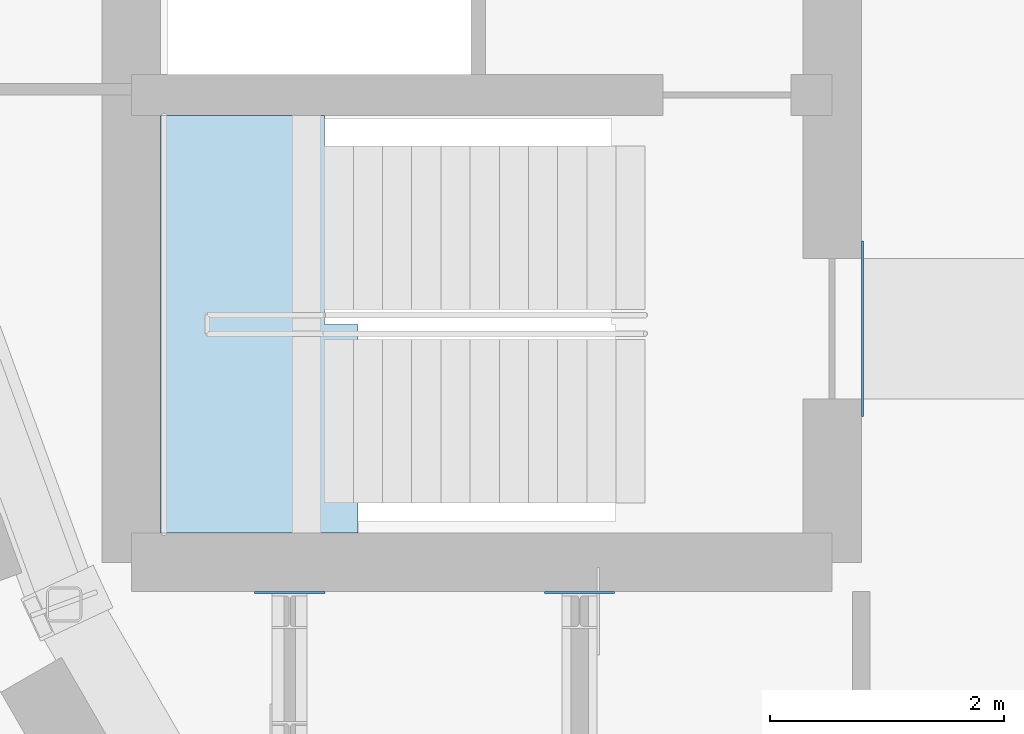
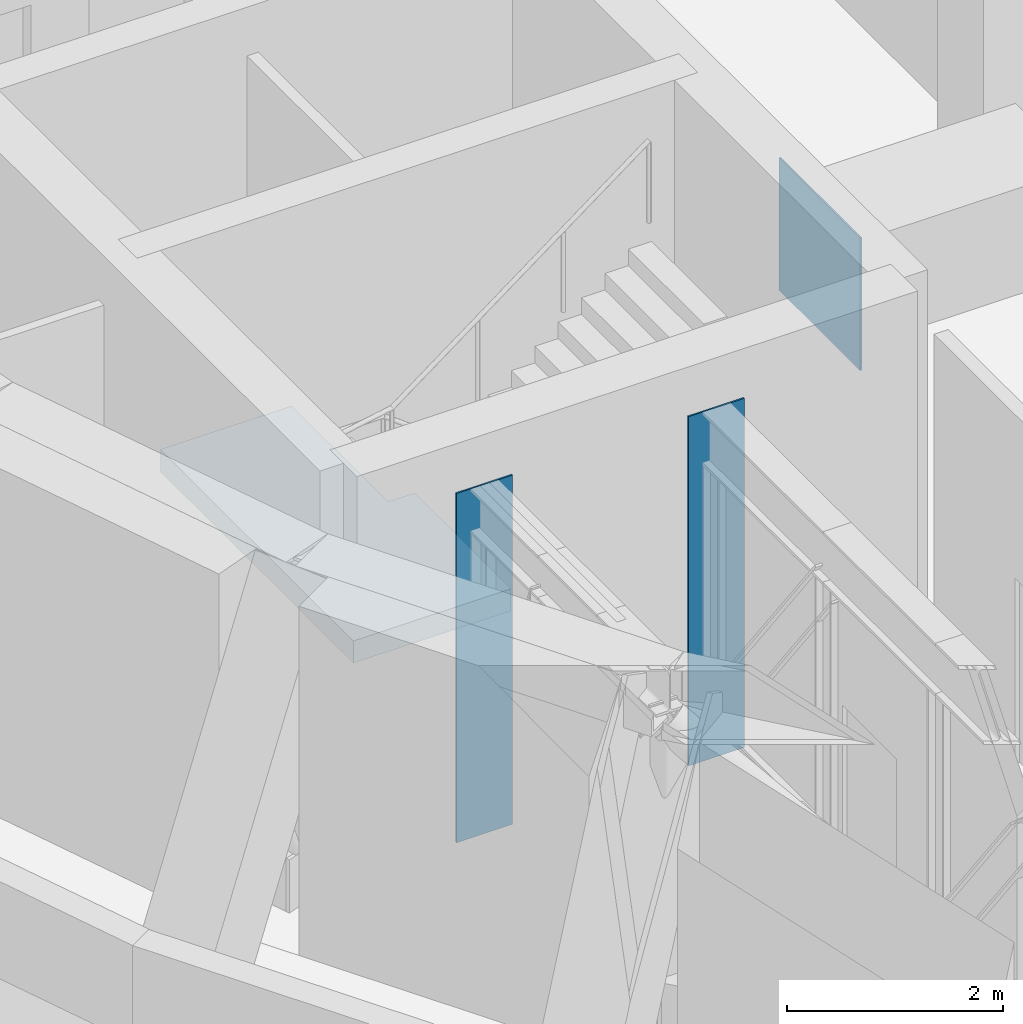
# One storey, part 8 of 20: 3 plates, 1 slab, 1 element without a shape of its own.
"""IFC4 building model written with IfcOpenShell, lengths in metres."""

import ifcopenshell
import ifcopenshell.guid

model = None  # the IFC model being written
_history = None  # IfcOwnerHistory: only IFC2X3 demands one
_inside = {}  # id of a spatial element -> (the spatial element, [elements in it])
_under = {}  # id of a project, library or spatial element -> (it, [spatial elements below it])
_declared = {}  # id of a project -> (the project, [libraries it declares])
_typed = {}  # id of a type object -> (the type object, [elements of that type])
_made_of = {}  # id of a material, layer set ... -> (it, [elements and type objects made of it])


def new_model(schema):
    """Start an empty IFC model of exactly this schema.

    Asked for "IFC4X3", IfcOpenShell would pick the latest addendum, in which some entities
    have other attributes; the version numbers below select the first issue.
    IFC2X3 requires an IfcOwnerHistory on every rooted entity: one is made here for all.
    """
    global model, _history
    if schema == "IFC4X3":
        model = ifcopenshell.file(schema_version=(4, 3, 0, 0))
    else:
        model = ifcopenshell.file(schema=schema)
    _inside.clear()
    _under.clear()
    _declared.clear()
    _typed.clear()
    _made_of.clear()
    _history = None
    if model.schema == "IFC2X3":
        org = make("IfcOrganization", Name="unknown")
        user = make(
            "IfcPersonAndOrganization",
            ThePerson=make("IfcPerson", FamilyName="unknown"),
            TheOrganization=org,
        )
        app = make(
            "IfcApplication",
            ApplicationDeveloper=org,
            Version="unknown",
            ApplicationFullName="unknown",
            ApplicationIdentifier="unknown",
        )
        _history = make(
            "IfcOwnerHistory",
            OwningUser=user,
            OwningApplication=app,
            ChangeAction="ADDED",
            CreationDate=0,
        )
    return model


def make(cls, **values):
    """One entity of the class cls with the attributes given. An attribute that is None is left unset."""
    return model.create_entity(
        cls, **{name: value for name, value in values.items() if value is not None}
    )


def rooted(cls, **values):
    """An entity with a GlobalId (a new one), such as an element, a storey or a relation."""
    return make(cls, GlobalId=ifcopenshell.guid.new(), OwnerHistory=_history, **values)


def si_unit(unit_type, name, prefix=None):
    """IfcSIUnit, for example si_unit("LENGTHUNIT", "METRE", prefix="MILLI")."""
    return make("IfcSIUnit", UnitType=unit_type, Prefix=prefix, Name=name)


def assignment(units):
    """IfcUnitAssignment: the units of a project."""
    return None if units is None else make("IfcUnitAssignment", Units=units)


def point(xyz):
    """IfcCartesianPoint."""
    return None if xyz is None else make("IfcCartesianPoint", Coordinates=xyz)


def direction(xyz):
    """IfcDirection."""
    return None if xyz is None else make("IfcDirection", DirectionRatios=xyz)


def frame(location, z_axis=None, x_axis=None):
    """IfcAxis2Placement3D, a coordinate frame: its origin and axes. An axis left out is left unset."""
    return make(
        "IfcAxis2Placement3D",
        Location=point(location),
        Axis=direction(z_axis),
        RefDirection=direction(x_axis),
    )


def origin():
    """The frame at (0, 0, 0) with its axes left unset."""
    return frame((0.0, 0.0, 0.0))


def place(relative_to, where):
    """IfcLocalPlacement: puts the frame where relative to a parent placement (None: the world)."""
    return make(
        "IfcLocalPlacement", PlacementRelTo=relative_to, RelativePlacement=where
    )


def context(
    kind, dimensions, precision=None, world=None, true_north=None, identifier=None
):
    """IfcGeometricRepresentationContext, for example the 3D "Model" context."""
    return make(
        "IfcGeometricRepresentationContext",
        ContextIdentifier=identifier,
        ContextType=kind,
        CoordinateSpaceDimension=dimensions,
        Precision=precision,
        WorldCoordinateSystem=world,
        TrueNorth=true_north,
    )


def subcontext(parent, identifier, kind, view, scale=None):
    """IfcGeometricRepresentationSubContext, for example "Body" below "Model"."""
    return make(
        "IfcGeometricRepresentationSubContext",
        ContextIdentifier=identifier,
        ContextType=kind,
        ParentContext=parent,
        TargetScale=scale,
        TargetView=view,
    )


def project(units=None, contexts=None):
    """IfcProject with its units and contexts."""
    return rooted(
        "IfcProject",
        Name="project",
        RepresentationContexts=contexts,
        UnitsInContext=assignment(units),
    )


def spatial(cls, under=None, at=None, **own):
    """A site, building, storey or space (cls), placed at a placement, below another one or the project."""
    s = rooted(cls, ObjectPlacement=at, **own)
    if under is not None:
        _under.setdefault(under.id(), (under, []))[1].append(s)
    return s


def polyline(points):
    """IfcPolyline through the points."""
    return make("IfcPolyline", Points=[point(p) for p in points])


def outline(outer, holes=None, kind="AREA"):
    """IfcArbitraryClosedProfileDef: a profile drawn as a closed curve; with holes, ...WithVoids."""
    if holes is None:
        return make("IfcArbitraryClosedProfileDef", ProfileType=kind, OuterCurve=outer)
    return make(
        "IfcArbitraryProfileDefWithVoids",
        ProfileType=kind,
        OuterCurve=outer,
        InnerCurves=holes,
    )


def extrude(swept, where, along, depth):
    """IfcExtrudedAreaSolid: the profile swept, set in the frame where, extruded along a direction by depth."""
    return make(
        "IfcExtrudedAreaSolid",
        SweptArea=swept,
        Position=where,
        ExtrudedDirection=direction(along),
        Depth=depth,
    )


def shape(context_of_items, identifier, shape_type, items):
    """IfcShapeRepresentation: the items that make up one representation, for example the "Body"."""
    return make(
        "IfcShapeRepresentation",
        ContextOfItems=context_of_items,
        RepresentationIdentifier=identifier,
        RepresentationType=shape_type,
        Items=items,
    )


def material(Name=None, Category=None):
    """IfcMaterial."""
    return make("IfcMaterial", Name=Name, Category=Category)


def layer(
    of_material, thickness, ventilated=None, Name=None, Category=None, Priority=None
):
    """IfcMaterialLayer: one layer of a wall or slab, of a material (None: an air gap)."""
    return make(
        "IfcMaterialLayer",
        Material=of_material,
        LayerThickness=thickness,
        IsVentilated=ventilated,
        Name=Name,
        Category=Category,
        Priority=Priority,
    )


def layer_set(layers, Name=None):
    """IfcMaterialLayerSet."""
    return make("IfcMaterialLayerSet", MaterialLayers=layers, LayerSetName=Name)


def made_of(thing, what):
    """Note that an element or type object is made of a material, layer set ...; save() writes the relation."""
    if what is not None:
        _made_of.setdefault(what.id(), (what, []))[1].append(thing)
    return thing


def type_object(cls, material=None, **own):
    """A type object (cls), such as IfcWallType, which elements share."""
    return made_of(rooted(cls, **own), material)


def element(
    cls,
    number,
    at=None,
    inside=None,
    cuts=None,
    type_object=None,
    material=None,
    context=None,
    identifier="Body",
    shape_type=None,
    held_by="IfcProductDefinitionShape",
    body=None,
    shapes=None,
    **own,
):
    """One element of the class cls, such as IfcWall. Its Tag is "e" and its number.

    at: its placement. inside: the storey or other place that contains it. cuts: it is an
    opening in that element (IfcRelVoidsElement). A single representation is given by context,
    identifier, shape_type and body (its items); several are given by shapes. held_by: the class
    of the entity that holds the representations. save() writes the other relations.
    """
    e = rooted(cls, Tag="e%d" % number, ObjectPlacement=at, **own)
    if body is not None:
        shapes = [shape(context, identifier, shape_type, body)]
    if shapes is not None:
        e.Representation = make(held_by, Representations=shapes)
    if inside is not None:
        _inside.setdefault(inside.id(), (inside, []))[1].append(e)
    if cuts is not None:
        rooted(
            "IfcRelVoidsElement", RelatingBuildingElement=cuts, RelatedOpeningElement=e
        )
    if type_object is not None:
        _typed.setdefault(type_object.id(), (type_object, []))[1].append(e)
    return made_of(e, material)


def aggregate(whole, parts):
    """IfcRelAggregates: a whole, such as a stair, and the parts it consists of."""
    return rooted("IfcRelAggregates", RelatingObject=whole, RelatedObjects=parts)


def save(model, path):
    """Write the relations noted so far, then the file.

    IfcRelAggregates (storeys below a building ...), IfcRelContainedInSpatialStructure (elements
    in a storey), IfcRelDefinesByType, IfcRelAssociatesMaterial and IfcRelDeclares: one each for
    every whole, place, type object, material and project.
    """
    for whole, parts in _under.values():
        aggregate(whole, parts)
    for where, things in _inside.values():
        rooted(
            "IfcRelContainedInSpatialStructure",
            RelatedElements=things,
            RelatingStructure=where,
        )
    for kind, things in _typed.values():
        rooted("IfcRelDefinesByType", RelatedObjects=things, RelatingType=kind)
    for what, things in _made_of.values():
        rooted("IfcRelAssociatesMaterial", RelatedObjects=things, RelatingMaterial=what)
    for by, libraries in _declared.values():
        rooted("IfcRelDeclares", RelatingContext=by, RelatedDefinitions=libraries)
    model.write(path)


model = new_model("IFC4")

# Units and contexts
model_context = context("Model", 3, precision=1e-05, world=origin(), true_north=direction((0.0, 1.0)))
body_context = subcontext(model_context, "Body", "Model", "MODEL_VIEW")
ifc_project = project(units=[si_unit("LENGTHUNIT", "METRE"), si_unit("AREAUNIT", "SQUARE_METRE"), si_unit("VOLUMEUNIT", "CUBIC_METRE"), si_unit("PLANEANGLEUNIT", "RADIAN"), si_unit("MASSUNIT", "GRAM", prefix="KILO")], contexts=[model_context])

# Site, building, storey
site_placement = place(None, origin())
site = spatial("IfcSite", under=ifc_project, at=site_placement, CompositionType="ELEMENT")
building_placement = place(site_placement, origin())
building = spatial("IfcBuilding", under=site, at=building_placement, Name="Saqina Gate Tower", CompositionType="ELEMENT")
storey_placement = place(building_placement, frame((0.0, 0.0, 220.199951171875)))
storey = spatial("IfcBuildingStorey", under=building, at=storey_placement, Name="L63", CompositionType="ELEMENT", Elevation=220.199951171875)

# Stair, slab
ifc_material_1 = material(Name="Concrete C40/50", Category="concrete")
stair_type = type_object("IfcStairType", Name="EXIT STAIR", PredefinedType="HALF_TURN_STAIR", material=ifc_material_1)
stair_placement = place(storey_placement, origin())
stair = element("IfcStair", 1, at=stair_placement, inside=storey, type_object=stair_type, Name="EXIT STAIR 4", PredefinedType="HALF_TURN_STAIR")
ifc_material_2 = material(Name="Concrete C40/50", Category="concrete")
ifc_layer_1 = layer(ifc_material_2, 0.25)
ifc_layer_set_1 = layer_set([ifc_layer_1], Name="Concrete C40/50")
slab_type = type_object("IfcSlabType", Name="EXIT STAIR LANDING", PredefinedType="LANDING", material=ifc_layer_set_1)
slab_placement = place(storey_placement, frame((0.0, 0.0, 2.0)))
slab = element("IfcSlab", 2, at=slab_placement, type_object=slab_type, Name="EXIT STAIR 4 LANDING 1", PredefinedType="LANDING", context=body_context, shape_type="SweptSolid", body=[
    extrude(outline(polyline([(-17.56005859375, -6.96240234375), (-17.56005859375, -8.75), (-17.844970703125, -8.75), (-17.85009765625, -8.75), (-19.25, -8.75), (-19.25, -5.175048828125), (-17.844970703125, -5.175048828125), (-17.844970703125, -6.96240234375), (-17.56005859375, -6.96240234375)])), origin(), (0.0, 0.0, 1.0), 0.25),
])
aggregate(stair, [slab])

# Plates
ifc_material_3 = material(Name="Steel S460", Category="steel")
ifc_layer_2 = layer(ifc_material_3, 0.01806640625)
ifc_layer_set_2 = layer_set([ifc_layer_2], Name="Steel S460")
plate_type = type_object("IfcPlateType", Name="STR-EMBED PLATE", PredefinedType="USERDEFINED", material=ifc_layer_set_2)
plate_1_placement = place(storey_placement, origin())
element("IfcPlate", 3, at=plate_1_placement, inside=storey, type_object=plate_type, Name="EMBED PLATE L63 04", ObjectType="EMBED PLATE", PredefinedType="USERDEFINED", context=body_context, shape_type="SweptSolid", body=[
    extrude(outline(polyline([(-18.4443359375, -9.26806640625), (-17.84423828125, -9.26806640625), (-17.84423828125, -9.25), (-18.4443359375, -9.25), (-18.4443359375, -9.26806640625)])), origin(), (0.0, 0.0, 1.0), 3.949951171875),
])
plate_2_placement = place(storey_placement, origin())
element("IfcPlate", 4, at=plate_2_placement, inside=storey, type_object=plate_type, Name="EMBED PLATE L63 08", ObjectType="EMBED PLATE", PredefinedType="USERDEFINED", context=body_context, shape_type="SweptSolid", body=[
    extrude(outline(polyline([(-15.96240234375, -9.26806640625), (-15.3623046875, -9.26806640625), (-15.3623046875, -9.25), (-15.96240234375, -9.25), (-15.96240234375, -9.26806640625)])), origin(), (0.0, 0.0, 1.0), 3.949951171875),
])
plate_3_placement = place(storey_placement, frame((0.0, 0.0, 2.60009765625)))
element("IfcPlate", 5, at=plate_3_placement, inside=storey, type_object=plate_type, Name="EMBED PLATE L63 TIE 1", ObjectType="EMBED PLATE", PredefinedType="USERDEFINED", context=body_context, shape_type="SweptSolid", body=[
    extrude(outline(polyline([(-13.23193359375, -7.75), (-13.23193359375, -6.25), (-13.25, -6.25), (-13.25, -7.75), (-13.23193359375, -7.75)])), origin(), (0.0, 0.0, 1.0), 1.5),
])

save(model, "model.ifc")
